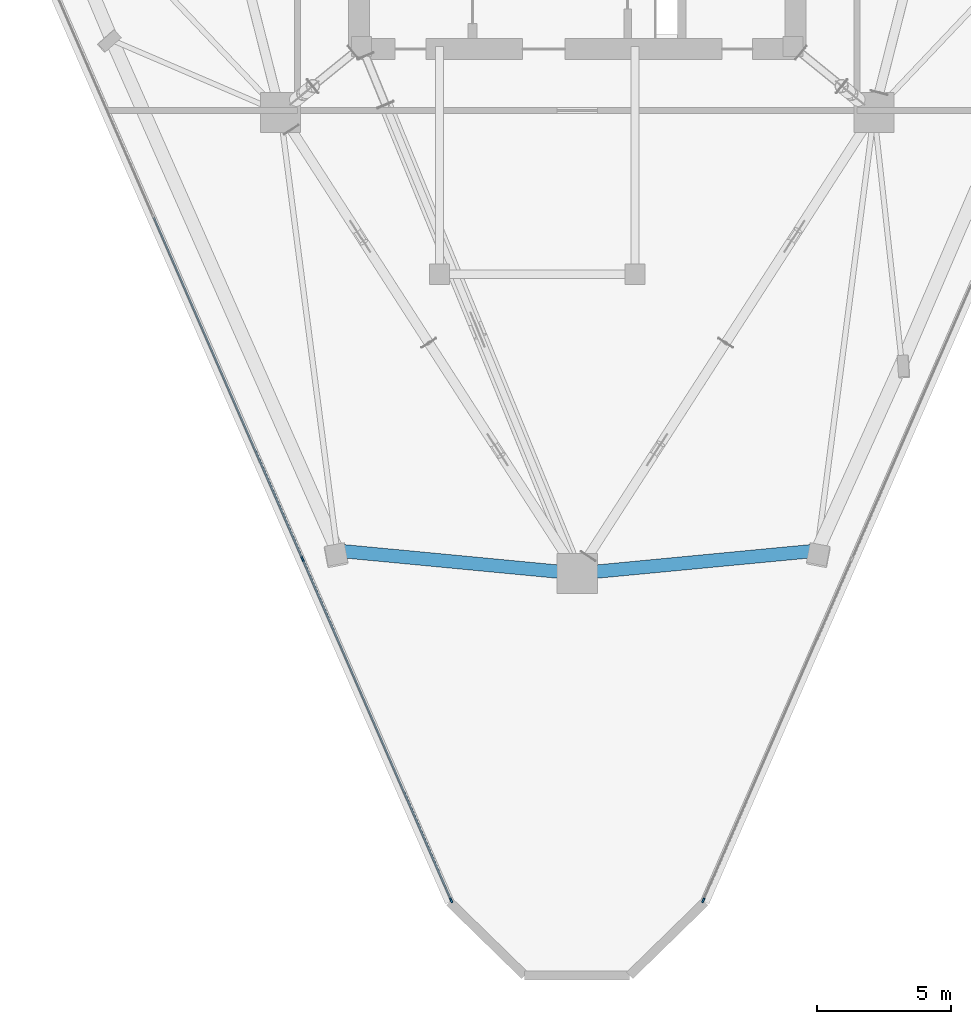
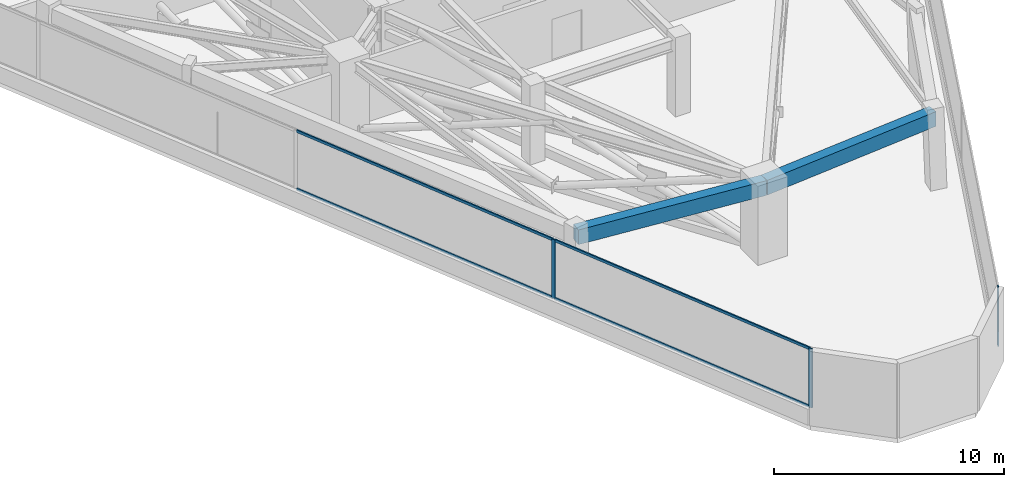
# One storey, part 2 of 13: 7 members, 2 beams, 2 elements without a shape of their own.
"""IFC4 building model written with IfcOpenShell, lengths in metres."""

from ifc_helpers import new_model, si_unit, direction, frame, origin, origin_2d, place, context, subcontext, project, spatial, rectangle, extrude, material, layer, layer_set, material_profile, profile_set, type_object, element, aggregate, save


model = new_model("IFC4")

# Units and contexts
model_context = context("Model", 3, precision=1e-05, world=origin(), true_north=direction((0.0, 1.0)))
body_context = subcontext(model_context, "Body", "Model", "MODEL_VIEW")
ifc_project = project(units=[si_unit("LENGTHUNIT", "METRE"), si_unit("AREAUNIT", "SQUARE_METRE"), si_unit("VOLUMEUNIT", "CUBIC_METRE"), si_unit("PLANEANGLEUNIT", "RADIAN"), si_unit("MASSUNIT", "GRAM", prefix="KILO")], contexts=[model_context])

# Site, building, storey
site_placement = place(None, origin())
site = spatial("IfcSite", under=ifc_project, at=site_placement, CompositionType="ELEMENT")
building_placement = place(site_placement, origin())
building = spatial("IfcBuilding", under=site, at=building_placement, Name="Talyreon Biosciences Tower", CompositionType="ELEMENT")
storey_placement = place(building_placement, frame((0.0, 0.0, 175.199951171875)))
storey = spatial("IfcBuildingStorey", under=building, at=storey_placement, Name="L46", CompositionType="ELEMENT", Elevation=175.199951171875)

# Curtain wall, members
ifc_material_1 = material(Name="Thermally broken aluminium and low-E glazing", Category="aluminium")
ifc_layer = layer(ifc_material_1, 0.18505859375)
ifc_layer_set = layer_set([ifc_layer], Name="Thermally broken aluminium and low-E glazing")
curtain_wall_type = type_object("IfcCurtainWallType", Name="CurtainWall_Zone3Bioprocess", PredefinedType="NOTDEFINED", material=ifc_layer_set)
curtain_wall_1_placement = place(storey_placement, origin())
curtain_wall_1 = element("IfcCurtainWall", 1, at=curtain_wall_1_placement, inside=storey, type_object=curtain_wall_type, Name="L46 Unitised Curtain Wall FCW-L46-00", PredefinedType="NOTDEFINED")
ifc_material_2 = material(Name="Anodised thermally broken aluminium", Category="aluminium")
ifc_material_profile_1 = material_profile(ifc_material_2, rectangle(XDim=0.06494140625, YDim=0.179931640625, at=origin_2d()), Name="ALUM MULLION 65x180")
ifc_profile_set_1 = profile_set([ifc_material_profile_1], Name="Anodised thermally broken aluminium")
member_type_1 = type_object("IfcMemberType", Name="CWMullion_65x180", PredefinedType="MULLION", material=ifc_profile_set_1)
member_1_placement = place(storey_placement, frame((61.292724609375, 29.457275390625, 0.81005859375), z_axis=(0.0, 0.0, 1.0), x_axis=(-0.916820215501, -0.399300253505, 0.0)))
member_1 = element("IfcMember", 2, at=member_1_placement, type_object=member_type_1, Name="CW4 mullion 1", PredefinedType="MULLION", context=body_context, shape_type="SweptSolid", body=[
    extrude(rectangle(XDim=0.06494140625, YDim=0.179931640625, at=origin_2d()), origin(), (0.0, 0.0, 1.0), 3.139892578125),
])
member_2_placement = place(storey_placement, frame((55.740478515625, 42.205810546875, 0.81005859375), z_axis=(0.0, 0.0, 1.0), x_axis=(-0.916820215501, -0.399300253505, 0.0)))
member_2 = element("IfcMember", 3, at=member_2_placement, type_object=member_type_1, Name="CW4 mullion 2", PredefinedType="MULLION", context=body_context, shape_type="SweptSolid", body=[
    extrude(rectangle(XDim=0.06494140625, YDim=0.179931640625, at=origin_2d()), origin(), (0.0, 0.0, 1.0), 3.139892578125),
])

# Curtain wall, member
curtain_wall_2_placement = place(storey_placement, origin())
curtain_wall_2 = element("IfcCurtainWall", 4, at=curtain_wall_2_placement, inside=storey, type_object=curtain_wall_type, Name="L46 Unitised Curtain Wall FCW-L46-08", PredefinedType="NOTDEFINED")
member_3_placement = place(storey_placement, frame((70.707275390625, 29.457275390625, 0.81005859375), z_axis=(0.0, 0.0, 1.0), x_axis=(0.916820215501, -0.399300253505, 0.0)))
member_3 = element("IfcMember", 5, at=member_3_placement, type_object=member_type_1, Name="CW4 mullion 5", PredefinedType="MULLION", context=body_context, shape_type="SweptSolid", body=[
    extrude(rectangle(XDim=0.06494140625, YDim=0.179931640625, at=origin_2d()), origin(), (0.0, 0.0, 1.0), 3.139892578125),
])
aggregate(curtain_wall_2, [member_3])

# Member
ifc_material_profile_2 = material_profile(ifc_material_2, rectangle(XDim=0.06494140625, YDim=0.139892578125, at=origin_2d()), Name="ALUM TRANSOM 65x140")
ifc_profile_set_2 = profile_set([ifc_material_profile_2], Name="Anodised thermally broken aluminium")
member_type_2 = type_object("IfcMemberType", Name="CWTransom_65x140", PredefinedType="USERDEFINED", material=ifc_profile_set_2)
member_4_placement = place(storey_placement, frame((61.27978515625, 29.487060546875, 0.842529296875), z_axis=(-0.399298814497, 0.916820842227, 0.0), x_axis=(-0.916820842227, -0.399298814497, 0.0)))
member_4 = element("IfcMember", 6, at=member_4_placement, type_object=member_type_2, Name="CW4 transom 1.1", ObjectType="TRANSOM", PredefinedType="USERDEFINED", context=body_context, shape_type="SweptSolid", body=[
    extrude(rectangle(XDim=0.06494140625, YDim=0.139892578125, at=origin_2d()), origin(), (0.0, 0.0, 1.0), 13.840087890625),
])

member_5_placement = place(storey_placement, frame((61.27978515625, 29.487060546875, 3.91748046875), z_axis=(-0.399298814497, 0.916820842227, 0.0), x_axis=(-0.916820842227, -0.399298814497, 0.0)))
member_5 = element("IfcMember", 7, at=member_5_placement, type_object=member_type_2, Name="CW4 transom 1.2", ObjectType="TRANSOM", PredefinedType="USERDEFINED", context=body_context, shape_type="SweptSolid", body=[
    extrude(rectangle(XDim=0.06494140625, YDim=0.139892578125, at=origin_2d()), origin(), (0.0, 0.0, 1.0), 13.840087890625),
])

member_6_placement = place(storey_placement, frame((55.7275390625, 42.235595703125, 0.842529296875), z_axis=(-0.399305180689, 0.916818069562, 0.0), x_axis=(-0.916818069562, -0.399305180689, 0.0)))
member_6 = element("IfcMember", 8, at=member_6_placement, type_object=member_type_2, Name="CW4 transom 2.1", ObjectType="TRANSOM", PredefinedType="USERDEFINED", context=body_context, shape_type="SweptSolid", body=[
    extrude(rectangle(XDim=0.06494140625, YDim=0.139892578125, at=origin_2d()), origin(), (0.0, 0.0, 1.0), 13.873046875),
])

member_7_placement = place(storey_placement, frame((55.7275390625, 42.235595703125, 3.91748046875), z_axis=(-0.399305180689, 0.916818069562, 0.0), x_axis=(-0.916818069562, -0.399305180689, 0.0)))
member_7 = element("IfcMember", 9, at=member_7_placement, type_object=member_type_2, Name="CW4 transom 2.2", ObjectType="TRANSOM", PredefinedType="USERDEFINED", context=body_context, shape_type="SweptSolid", body=[
    extrude(rectangle(XDim=0.06494140625, YDim=0.139892578125, at=origin_2d()), origin(), (0.0, 0.0, 1.0), 13.873046875),
])

aggregate(curtain_wall_1, [member_1, member_2, member_4, member_5, member_6, member_7])

# Beams
ifc_material_3 = material(Name="Precast concrete C45/55", Category="concrete")
ifc_material_profile_3 = material_profile(ifc_material_3, rectangle(XDim=0.5, YDim=0.780029296875, at=origin_2d()), Name="RCB 500x780")
ifc_profile_set_3 = profile_set([ifc_material_profile_3], Name="Precast concrete C45/55")
beam_type = type_object("IfcBeamType", Name="ExpressedSpandrel_500x780", PredefinedType="SPANDREL", material=ifc_profile_set_3)
for number, where, z_axis, x_axis, name in (
    (10, (66.0, 41.6669921875, 3.56005859375), (0.995507039295, 0.094687563671, 0.0), (-0.094687563671, 0.995507039295, 0.0), "L46 Expressed Horizontal Concrete Spandrel 01"),
    (11, (57.0341796875, 42.519775390625, 3.56005859375), (0.995507039295, -0.094687563671, 0.0), (0.094687563671, 0.995507039295, 0.0), "L46 Expressed Horizontal Concrete Spandrel 12"),
):
    element("IfcBeam", number, at=place(storey_placement, frame(where, z_axis=z_axis, x_axis=x_axis)), inside=storey, type_object=beam_type, Name=name, PredefinedType="SPANDREL", context=body_context, shape_type="SweptSolid", body=[
        extrude(rectangle(XDim=0.5, YDim=0.780029296875, at=origin_2d()), origin(), (0.0, 0.0, 1.0), 9.00634765625),
    ])

save(model, "model.ifc")
